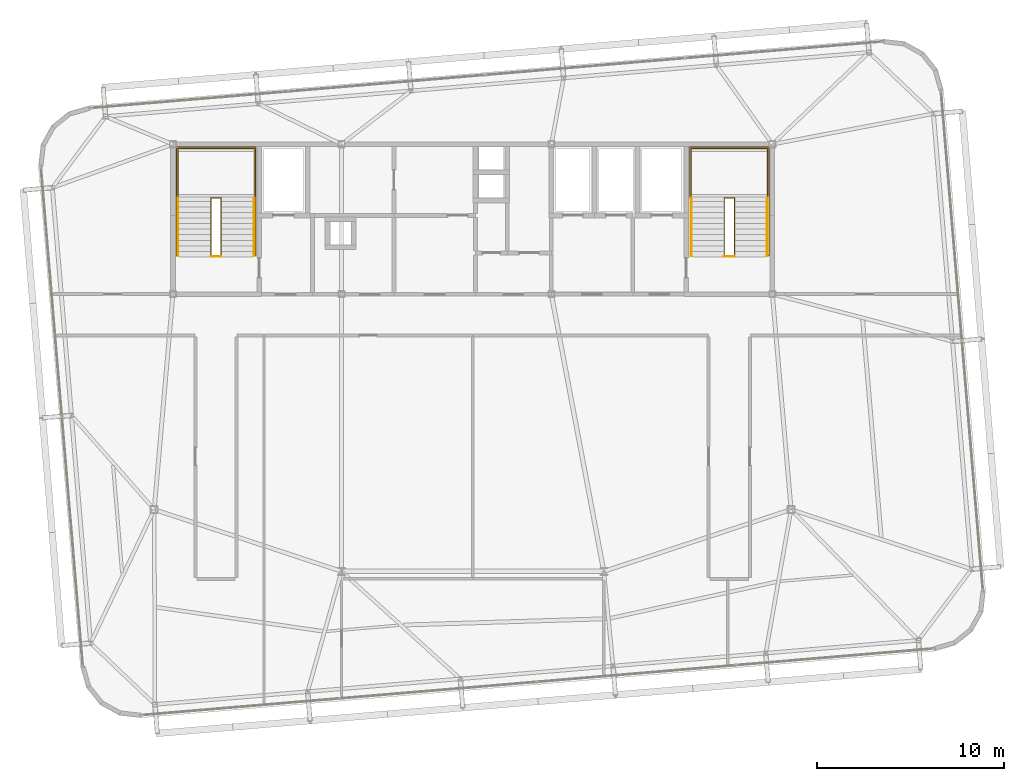
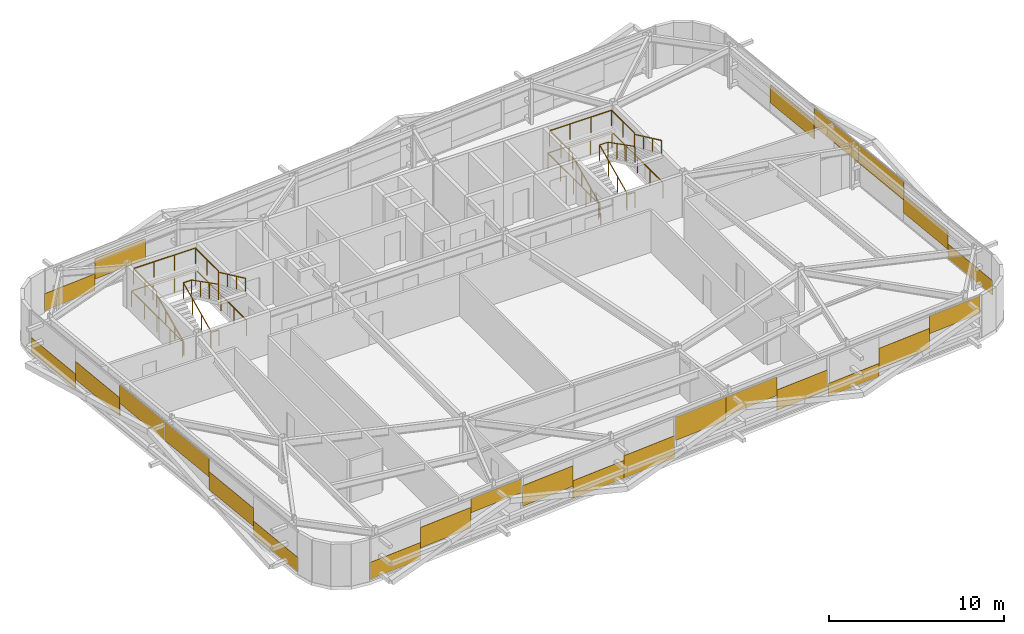
# One storey, part 38 of 39: 25 coverings, 12 railings.
"""IFC4 building model written with IfcOpenShell, lengths in metres."""

from ifc_helpers import new_model, si_unit, direction, frame, origin, origin_2d, place, context, subcontext, project, spatial, rectangle, extrude, source, transform, mapped, material, layer, layer_set, type_object, element, save


model = new_model("IFC4")

# Units and contexts
model_context = context("Model", 3, precision=1e-05, world=origin(), true_north=direction((0.0, 1.0)))
body_context = subcontext(model_context, "Body", "Model", "MODEL_VIEW")
ifc_project = project(units=[si_unit("LENGTHUNIT", "METRE"), si_unit("AREAUNIT", "SQUARE_METRE"), si_unit("VOLUMEUNIT", "CUBIC_METRE"), si_unit("PLANEANGLEUNIT", "RADIAN"), si_unit("MASSUNIT", "GRAM", prefix="KILO")], contexts=[model_context])

# Site, building, storey
site_placement = place(None, origin())
site = spatial("IfcSite", under=ifc_project, at=site_placement, CompositionType="ELEMENT")
building_placement = place(site_placement, origin())
building = spatial("IfcBuilding", under=site, at=building_placement, Name="Taldren Reach Tower", CompositionType="ELEMENT")
storey_placement = place(building_placement, frame((0.0, 0.0, 197.75)))
storey = spatial("IfcBuildingStorey", under=building, at=storey_placement, Name="L60", CompositionType="ELEMENT", Elevation=197.75)

# Railings
ifc_material_1 = material(Name="Steel Gr 350 (C350L0)", Category="steel")
ifc_layer_1 = layer(ifc_material_1, 0.050048828125)
ifc_layer_set_1 = layer_set([ifc_layer_1], Name="Steel Gr 350 (C350L0)")
railing_type_1 = type_object("IfcRailingType", Name="RL-STAIR-GR", PredefinedType="GUARDRAIL", material=ifc_layer_set_1)
railing_1_placement = place(storey_placement, frame((19.260009765625, 29.135009765625, 1.574951171875)))
element("IfcRailing", 1, at=railing_1_placement, inside=storey, type_object=railing_type_1, Name="Stair half-landing perimeter guard ST1-L60", PredefinedType="GUARDRAIL", context=body_context, shape_type="SweptSolid", body=[
    extrude(rectangle(XDim=0.047852, YDim=0.047852, at=origin_2d()), frame((0.0, 0.0, 1.09619140625), z_axis=(0.0, 1.0, 0.0), x_axis=(-1.0, 0.0, 0.0)), (0.0, 0.0, 1.0), 2.64501953125),
    extrude(rectangle(XDim=0.047852, YDim=0.047852, at=origin_2d()), frame((0.0, 2.64501953125, 1.09619140625), z_axis=(1.0, 0.0, 0.0), x_axis=(0.0, 1.0, 0.0)), (0.0, 0.0, 1.0), 4.080078125),
    extrude(rectangle(XDim=0.047852, YDim=0.047852, at=origin_2d()), frame((4.080078125, 2.64501953125, 1.09619140625), z_axis=(0.0, -1.0, 0.0), x_axis=(1.0, 0.0, 0.0)), (0.0, 0.0, 1.0), 2.64501953125),
    extrude(rectangle(XDim=0.041992, YDim=0.041992, at=origin_2d()), origin(), (0.0, 0.0, 1.0), 1.072021484375),
    extrude(rectangle(XDim=0.041992, YDim=0.041992, at=origin_2d()), frame((0.0, 1.322509765625, 0.0)), (0.0, 0.0, 1.0), 1.072021484375),
    extrude(rectangle(XDim=0.041992, YDim=0.041992, at=origin_2d()), frame((0.0, 2.64501953125, 0.0)), (0.0, 0.0, 1.0), 1.072021484375),
    extrude(rectangle(XDim=0.041992, YDim=0.041992, at=origin_2d()), frame((1.360107421875, 2.64501953125, 0.0)), (0.0, 0.0, 1.0), 1.072021484375),
    extrude(rectangle(XDim=0.041992, YDim=0.041992, at=origin_2d()), frame((2.719970703125, 2.64501953125, 0.0)), (0.0, 0.0, 1.0), 1.072021484375),
    extrude(rectangle(XDim=0.041992, YDim=0.041992, at=origin_2d()), frame((4.080078125, 2.64501953125, 0.0)), (0.0, 0.0, 1.0), 1.072021484375),
    extrude(rectangle(XDim=0.041992, YDim=0.041992, at=origin_2d()), frame((4.080078125, 1.322509765625, 0.0)), (0.0, 0.0, 1.0), 1.072021484375),
    extrude(rectangle(XDim=0.041992, YDim=0.041992, at=origin_2d()), frame((4.080078125, 0.0, 0.0)), (0.0, 0.0, 1.0), 1.072021484375),
])
railing_2_placement = place(storey_placement, frame((21.030029296875, 26.050048828125, 0.131103515625)))
element("IfcRailing", 2, at=railing_2_placement, inside=storey, type_object=railing_type_1, Name="Stairwell inner guard ST1-L60", PredefinedType="GUARDRAIL", context=body_context, shape_type="SweptSolid", body=[
    extrude(rectangle(XDim=0.047852, YDim=0.047852, at=origin_2d()), frame((0.0, 0.0, 1.09619140625), z_axis=(0.0, 0.905710134349, 0.423897573167), x_axis=(-1.0, 0.0, 0.0)), (0.0, 0.0, 1.0), 3.406005859375),
    extrude(rectangle(XDim=0.047852, YDim=0.047852, at=origin_2d()), frame((0.0, 3.0849609375, 2.5400390625), z_axis=(1.0, 0.0, 0.0), x_axis=(0.0, 1.0, 0.0)), (0.0, 0.0, 1.0), 0.5400390625),
    extrude(rectangle(XDim=0.047852, YDim=0.047852, at=origin_2d()), frame((0.5400390625, 3.0849609375, 2.5400390625), z_axis=(0.0, -0.890645957773, 0.45469745755), x_axis=(1.0, 0.0, 0.0)), (0.0, 0.0, 1.0), 3.463623046875),
    extrude(rectangle(XDim=0.041992, YDim=0.041992, at=origin_2d()), origin(), (0.0, 0.0, 1.0), 1.072021484375),
    extrude(rectangle(XDim=0.041992, YDim=0.041992, at=origin_2d()), frame((0.0, 1.0283203125, 0.481201171875)), (0.0, 0.0, 1.0), 1.072021484375),
    extrude(rectangle(XDim=0.041992, YDim=0.041992, at=origin_2d()), frame((0.0, 2.056640625, 0.962646484375)), (0.0, 0.0, 1.0), 1.072021484375),
    extrude(rectangle(XDim=0.041992, YDim=0.041992, at=origin_2d()), frame((0.0, 3.0849609375, 1.44384765625)), (0.0, 0.0, 1.0), 1.072021484375),
    extrude(rectangle(XDim=0.041992, YDim=0.041992, at=origin_2d()), frame((0.5400390625, 3.0849609375, 1.44384765625)), (0.0, 0.0, 1.0), 1.072021484375),
    extrude(rectangle(XDim=0.041992, YDim=0.041992, at=origin_2d()), frame((0.5400390625, 2.056640625, 1.96875)), (0.0, 0.0, 1.0), 1.072021484375),
    extrude(rectangle(XDim=0.041992, YDim=0.041992, at=origin_2d()), frame((0.5400390625, 1.0283203125, 2.493896484375)), (0.0, 0.0, 1.0), 1.072021484375),
    extrude(rectangle(XDim=0.041992, YDim=0.041992, at=origin_2d()), frame((0.5400390625, 0.0, 3.018798828125)), (0.0, 0.0, 1.0), 1.072021484375),
])
railing_3_placement = place(storey_placement, frame((21.030029296875, 26.010009765625, 0.0)))
element("IfcRailing", 3, at=railing_3_placement, inside=storey, type_object=railing_type_1, Name="Stairwell landing slot guard ST1-L60", PredefinedType="GUARDRAIL", context=body_context, shape_type="SweptSolid", body=[
    extrude(rectangle(XDim=0.047852, YDim=0.047852, at=origin_2d()), frame((0.0, 0.0, 1.09619140625), z_axis=(1.0, 0.0, 0.0), x_axis=(0.0, 1.0, 0.0)), (0.0, 0.0, 1.0), 0.5400390625),
    extrude(rectangle(XDim=0.041992, YDim=0.041992, at=origin_2d()), origin(), (0.0, 0.0, 1.0), 1.072021484375),
    extrude(rectangle(XDim=0.041992, YDim=0.041992, at=origin_2d()), frame((0.5400390625, 0.0, 0.0)), (0.0, 0.0, 1.0), 1.072021484375),
])
railing_4_placement = place(storey_placement, frame((19.18994140625, 26.050048828125, 0.0)))
element("IfcRailing", 4, at=railing_4_placement, inside=storey, type_object=railing_type_1, Name="Stairwell floor opening guard ST1-L60", PredefinedType="GUARDRAIL", context=body_context, shape_type="SweptSolid", body=[
    extrude(rectangle(XDim=0.047852, YDim=0.047852, at=origin_2d()), frame((0.0, 0.0, 1.09619140625), z_axis=(0.0, 1.0, 0.0), x_axis=(-1.0, 0.0, 0.0)), (0.0, 0.0, 1.0), 5.800048828125),
    extrude(rectangle(XDim=0.047852, YDim=0.047852, at=origin_2d()), frame((0.0, 5.800048828125, 1.09619140625), z_axis=(1.0, 0.0, 0.0), x_axis=(0.0, 1.0, 0.0)), (0.0, 0.0, 1.0), 4.219970703125),
    extrude(rectangle(XDim=0.047852, YDim=0.047852, at=origin_2d()), frame((4.219970703125, 5.800048828125, 1.09619140625), z_axis=(0.0, -1.0, 0.0), x_axis=(1.0, 0.0, 0.0)), (0.0, 0.0, 1.0), 5.800048828125),
    extrude(rectangle(XDim=0.041992, YDim=0.041992, at=origin_2d()), origin(), (0.0, 0.0, 1.0), 1.072021484375),
    extrude(rectangle(XDim=0.041992, YDim=0.041992, at=origin_2d()), frame((0.0, 1.449951171875, 0.0)), (0.0, 0.0, 1.0), 1.072021484375),
    extrude(rectangle(XDim=0.041992, YDim=0.041992, at=origin_2d()), frame((0.0, 2.89990234375, 0.0)), (0.0, 0.0, 1.0), 1.072021484375),
    extrude(rectangle(XDim=0.041992, YDim=0.041992, at=origin_2d()), frame((0.0, 4.35009765625, 0.0)), (0.0, 0.0, 1.0), 1.072021484375),
    extrude(rectangle(XDim=0.041992, YDim=0.041992, at=origin_2d()), frame((0.0, 5.800048828125, 0.0)), (0.0, 0.0, 1.0), 1.072021484375),
    extrude(rectangle(XDim=0.041992, YDim=0.041992, at=origin_2d()), frame((1.40673828125, 5.800048828125, 0.0)), (0.0, 0.0, 1.0), 1.072021484375),
    extrude(rectangle(XDim=0.041992, YDim=0.041992, at=origin_2d()), frame((2.813232421875, 5.800048828125, 0.0)), (0.0, 0.0, 1.0), 1.072021484375),
    extrude(rectangle(XDim=0.041992, YDim=0.041992, at=origin_2d()), frame((4.219970703125, 5.800048828125, 0.0)), (0.0, 0.0, 1.0), 1.072021484375),
    extrude(rectangle(XDim=0.041992, YDim=0.041992, at=origin_2d()), frame((4.219970703125, 4.35009765625, 0.0)), (0.0, 0.0, 1.0), 1.072021484375),
    extrude(rectangle(XDim=0.041992, YDim=0.041992, at=origin_2d()), frame((4.219970703125, 2.89990234375, 0.0)), (0.0, 0.0, 1.0), 1.072021484375),
    extrude(rectangle(XDim=0.041992, YDim=0.041992, at=origin_2d()), frame((4.219970703125, 1.449951171875, 0.0)), (0.0, 0.0, 1.0), 1.072021484375),
    extrude(rectangle(XDim=0.041992, YDim=0.041992, at=origin_2d()), frame((4.219970703125, 0.0, 0.0)), (0.0, 0.0, 1.0), 1.072021484375),
])
railing_5_placement = place(storey_placement, frame((46.659912109375, 29.135009765625, 1.574951171875)))
element("IfcRailing", 5, at=railing_5_placement, inside=storey, type_object=railing_type_1, Name="Stair half-landing perimeter guard ST2-L60", PredefinedType="GUARDRAIL", context=body_context, shape_type="SweptSolid", body=[
    extrude(rectangle(XDim=0.047852, YDim=0.047852, at=origin_2d()), frame((0.0, 0.0, 1.09619140625), z_axis=(0.0, 1.0, 0.0), x_axis=(-1.0, 0.0, 0.0)), (0.0, 0.0, 1.0), 2.64501953125),
    extrude(rectangle(XDim=0.047852, YDim=0.047852, at=origin_2d()), frame((0.0, 2.64501953125, 1.09619140625), z_axis=(1.0, 0.0, 0.0), x_axis=(0.0, 1.0, 0.0)), (0.0, 0.0, 1.0), 4.080078125),
    extrude(rectangle(XDim=0.047852, YDim=0.047852, at=origin_2d()), frame((4.080078125, 2.64501953125, 1.09619140625), z_axis=(0.0, -1.0, 0.0), x_axis=(1.0, 0.0, 0.0)), (0.0, 0.0, 1.0), 2.64501953125),
    extrude(rectangle(XDim=0.041992, YDim=0.041992, at=origin_2d()), origin(), (0.0, 0.0, 1.0), 1.072021484375),
    extrude(rectangle(XDim=0.041992, YDim=0.041992, at=origin_2d()), frame((0.0, 1.322509765625, 0.0)), (0.0, 0.0, 1.0), 1.072021484375),
    extrude(rectangle(XDim=0.041992, YDim=0.041992, at=origin_2d()), frame((0.0, 2.64501953125, 0.0)), (0.0, 0.0, 1.0), 1.072021484375),
    extrude(rectangle(XDim=0.041992, YDim=0.041992, at=origin_2d()), frame((1.360107421875, 2.64501953125, 0.0)), (0.0, 0.0, 1.0), 1.072021484375),
    extrude(rectangle(XDim=0.041992, YDim=0.041992, at=origin_2d()), frame((2.719970703125, 2.64501953125, 0.0)), (0.0, 0.0, 1.0), 1.072021484375),
    extrude(rectangle(XDim=0.041992, YDim=0.041992, at=origin_2d()), frame((4.080078125, 2.64501953125, 0.0)), (0.0, 0.0, 1.0), 1.072021484375),
    extrude(rectangle(XDim=0.041992, YDim=0.041992, at=origin_2d()), frame((4.080078125, 1.322509765625, 0.0)), (0.0, 0.0, 1.0), 1.072021484375),
    extrude(rectangle(XDim=0.041992, YDim=0.041992, at=origin_2d()), frame((4.080078125, 0.0, 0.0)), (0.0, 0.0, 1.0), 1.072021484375),
])
railing_6_placement = place(storey_placement, frame((48.429931640625, 26.050048828125, 0.131103515625)))
element("IfcRailing", 6, at=railing_6_placement, inside=storey, type_object=railing_type_1, Name="Stairwell inner guard ST2-L60", PredefinedType="GUARDRAIL", context=body_context, shape_type="SweptSolid", body=[
    extrude(rectangle(XDim=0.047852, YDim=0.047852, at=origin_2d()), frame((0.0, 0.0, 1.09619140625), z_axis=(0.0, 0.905710134349, 0.423897573167), x_axis=(-1.0, 0.0, 0.0)), (0.0, 0.0, 1.0), 3.406005859375),
    extrude(rectangle(XDim=0.047852, YDim=0.047852, at=origin_2d()), frame((0.0, 3.0849609375, 2.5400390625), z_axis=(1.0, 0.0, 0.0), x_axis=(0.0, 1.0, 0.0)), (0.0, 0.0, 1.0), 0.5400390625),
    extrude(rectangle(XDim=0.047852, YDim=0.047852, at=origin_2d()), frame((0.5400390625, 3.0849609375, 2.5400390625), z_axis=(0.0, -0.890645957773, 0.45469745755), x_axis=(1.0, 0.0, 0.0)), (0.0, 0.0, 1.0), 3.463623046875),
    extrude(rectangle(XDim=0.041992, YDim=0.041992, at=origin_2d()), origin(), (0.0, 0.0, 1.0), 1.072021484375),
    extrude(rectangle(XDim=0.041992, YDim=0.041992, at=origin_2d()), frame((0.0, 1.0283203125, 0.481201171875)), (0.0, 0.0, 1.0), 1.072021484375),
    extrude(rectangle(XDim=0.041992, YDim=0.041992, at=origin_2d()), frame((0.0, 2.056640625, 0.962646484375)), (0.0, 0.0, 1.0), 1.072021484375),
    extrude(rectangle(XDim=0.041992, YDim=0.041992, at=origin_2d()), frame((0.0, 3.0849609375, 1.44384765625)), (0.0, 0.0, 1.0), 1.072021484375),
    extrude(rectangle(XDim=0.041992, YDim=0.041992, at=origin_2d()), frame((0.5400390625, 3.0849609375, 1.44384765625)), (0.0, 0.0, 1.0), 1.072021484375),
    extrude(rectangle(XDim=0.041992, YDim=0.041992, at=origin_2d()), frame((0.5400390625, 2.056640625, 1.96875)), (0.0, 0.0, 1.0), 1.072021484375),
    extrude(rectangle(XDim=0.041992, YDim=0.041992, at=origin_2d()), frame((0.5400390625, 1.0283203125, 2.493896484375)), (0.0, 0.0, 1.0), 1.072021484375),
    extrude(rectangle(XDim=0.041992, YDim=0.041992, at=origin_2d()), frame((0.5400390625, 0.0, 3.018798828125)), (0.0, 0.0, 1.0), 1.072021484375),
])
railing_7_placement = place(storey_placement, frame((48.429931640625, 26.010009765625, 0.0)))
element("IfcRailing", 7, at=railing_7_placement, inside=storey, type_object=railing_type_1, Name="Stairwell landing slot guard ST2-L60", PredefinedType="GUARDRAIL", context=body_context, shape_type="SweptSolid", body=[
    extrude(rectangle(XDim=0.047852, YDim=0.047852, at=origin_2d()), frame((0.0, 0.0, 1.09619140625), z_axis=(1.0, 0.0, 0.0), x_axis=(0.0, 1.0, 0.0)), (0.0, 0.0, 1.0), 0.5400390625),
    extrude(rectangle(XDim=0.041992, YDim=0.041992, at=origin_2d()), origin(), (0.0, 0.0, 1.0), 1.072021484375),
    extrude(rectangle(XDim=0.041992, YDim=0.041992, at=origin_2d()), frame((0.5400390625, 0.0, 0.0)), (0.0, 0.0, 1.0), 1.072021484375),
])
railing_8_placement = place(storey_placement, frame((46.590087890625, 26.050048828125, 0.0)))
element("IfcRailing", 8, at=railing_8_placement, inside=storey, type_object=railing_type_1, Name="Stairwell floor opening guard ST2-L60", PredefinedType="GUARDRAIL", context=body_context, shape_type="SweptSolid", body=[
    extrude(rectangle(XDim=0.047852, YDim=0.047852, at=origin_2d()), frame((0.0, 0.0, 1.09619140625), z_axis=(0.0, 1.0, 0.0), x_axis=(-1.0, 0.0, 0.0)), (0.0, 0.0, 1.0), 5.800048828125),
    extrude(rectangle(XDim=0.047852, YDim=0.047852, at=origin_2d()), frame((0.0, 5.800048828125, 1.09619140625), z_axis=(1.0, 0.0, 0.0), x_axis=(0.0, 1.0, 0.0)), (0.0, 0.0, 1.0), 4.219970703125),
    extrude(rectangle(XDim=0.047852, YDim=0.047852, at=origin_2d()), frame((4.219970703125, 5.800048828125, 1.09619140625), z_axis=(0.0, -1.0, 0.0), x_axis=(1.0, 0.0, 0.0)), (0.0, 0.0, 1.0), 5.800048828125),
    extrude(rectangle(XDim=0.041992, YDim=0.041992, at=origin_2d()), origin(), (0.0, 0.0, 1.0), 1.072021484375),
    extrude(rectangle(XDim=0.041992, YDim=0.041992, at=origin_2d()), frame((0.0, 1.449951171875, 0.0)), (0.0, 0.0, 1.0), 1.072021484375),
    extrude(rectangle(XDim=0.041992, YDim=0.041992, at=origin_2d()), frame((0.0, 2.89990234375, 0.0)), (0.0, 0.0, 1.0), 1.072021484375),
    extrude(rectangle(XDim=0.041992, YDim=0.041992, at=origin_2d()), frame((0.0, 4.35009765625, 0.0)), (0.0, 0.0, 1.0), 1.072021484375),
    extrude(rectangle(XDim=0.041992, YDim=0.041992, at=origin_2d()), frame((0.0, 5.800048828125, 0.0)), (0.0, 0.0, 1.0), 1.072021484375),
    extrude(rectangle(XDim=0.041992, YDim=0.041992, at=origin_2d()), frame((1.40673828125, 5.800048828125, 0.0)), (0.0, 0.0, 1.0), 1.072021484375),
    extrude(rectangle(XDim=0.041992, YDim=0.041992, at=origin_2d()), frame((2.813232421875, 5.800048828125, 0.0)), (0.0, 0.0, 1.0), 1.072021484375),
    extrude(rectangle(XDim=0.041992, YDim=0.041992, at=origin_2d()), frame((4.219970703125, 5.800048828125, 0.0)), (0.0, 0.0, 1.0), 1.072021484375),
    extrude(rectangle(XDim=0.041992, YDim=0.041992, at=origin_2d()), frame((4.219970703125, 4.35009765625, 0.0)), (0.0, 0.0, 1.0), 1.072021484375),
    extrude(rectangle(XDim=0.041992, YDim=0.041992, at=origin_2d()), frame((4.219970703125, 2.89990234375, 0.0)), (0.0, 0.0, 1.0), 1.072021484375),
    extrude(rectangle(XDim=0.041992, YDim=0.041992, at=origin_2d()), frame((4.219970703125, 1.449951171875, 0.0)), (0.0, 0.0, 1.0), 1.072021484375),
    extrude(rectangle(XDim=0.041992, YDim=0.041992, at=origin_2d()), frame((4.219970703125, 0.0, 0.0)), (0.0, 0.0, 1.0), 1.072021484375),
])
ifc_material_2 = material(Name="Stainless Steel Gr 316", Category="steel")
ifc_layer_2 = layer(ifc_material_2, 0.048095703125)
ifc_layer_set_2 = layer_set([ifc_layer_2], Name="Stainless Steel Gr 316")
railing_type_2 = type_object("IfcRailingType", Name="RL-STAIR-HR", PredefinedType="HANDRAIL", material=ifc_layer_set_2)
railing_9_placement = place(storey_placement, frame((19.27001953125, 26.050048828125, 0.131103515625)))
element("IfcRailing", 9, at=railing_9_placement, inside=storey, type_object=railing_type_2, Name="Stair flight handrail ST1-L60-1", PredefinedType="HANDRAIL", context=body_context, shape_type="SweptSolid", body=[
    extrude(rectangle(XDim=0.047852, YDim=0.047852, at=origin_2d()), frame((0.0, 0.0, 0.89599609375), z_axis=(0.0, 0.905710134349, 0.423897573167), x_axis=(-1.0, 0.0, 0.0)), (0.0, 0.0, 1.0), 3.406005859375),
    extrude(rectangle(XDim=0.041992, YDim=0.041992, at=origin_2d()), origin(), (0.0, 0.0, 1.0), 0.871826171875),
    extrude(rectangle(XDim=0.041992, YDim=0.041992, at=origin_2d()), frame((0.0, 1.0283203125, 0.481201171875)), (0.0, 0.0, 1.0), 0.871826171875),
    extrude(rectangle(XDim=0.041992, YDim=0.041992, at=origin_2d()), frame((0.0, 2.056640625, 0.962646484375)), (0.0, 0.0, 1.0), 0.871826171875),
    extrude(rectangle(XDim=0.041992, YDim=0.041992, at=origin_2d()), frame((0.0, 3.0849609375, 1.44384765625)), (0.0, 0.0, 1.0), 0.871826171875),
])
railing_10_placement = place(storey_placement, frame((23.330078125, 29.135009765625, 1.706298828125)))
element("IfcRailing", 10, at=railing_10_placement, inside=storey, type_object=railing_type_2, Name="Stair flight handrail ST1-L60-2", PredefinedType="HANDRAIL", context=body_context, shape_type="SweptSolid", body=[
    extrude(rectangle(XDim=0.047852, YDim=0.047852, at=origin_2d()), frame((0.0, 0.0, 0.89599609375), z_axis=(0.0, -0.905737652094, 0.423838773095), x_axis=(1.0, 0.0, 0.0)), (0.0, 0.0, 1.0), 3.406005859375),
    extrude(rectangle(XDim=0.041992, YDim=0.041992, at=origin_2d()), origin(), (0.0, 0.0, 1.0), 0.871826171875),
    extrude(rectangle(XDim=0.041992, YDim=0.041992, at=origin_2d()), frame((0.0, -1.0283203125, 0.481201171875)), (0.0, 0.0, 1.0), 0.871826171875),
    extrude(rectangle(XDim=0.041992, YDim=0.041992, at=origin_2d()), frame((0.0, -2.056640625, 0.96240234375)), (0.0, 0.0, 1.0), 0.871826171875),
    extrude(rectangle(XDim=0.041992, YDim=0.041992, at=origin_2d()), frame((0.0, -3.0849609375, 1.443603515625)), (0.0, 0.0, 1.0), 0.871826171875),
])
railing_11_placement = place(storey_placement, frame((46.669921875, 26.050048828125, 0.131103515625)))
element("IfcRailing", 11, at=railing_11_placement, inside=storey, type_object=railing_type_2, Name="Stair flight handrail ST2-L60-1", PredefinedType="HANDRAIL", context=body_context, shape_type="SweptSolid", body=[
    extrude(rectangle(XDim=0.047852, YDim=0.047852, at=origin_2d()), frame((0.0, 0.0, 0.89599609375), z_axis=(0.0, 0.905710134349, 0.423897573167), x_axis=(-1.0, 0.0, 0.0)), (0.0, 0.0, 1.0), 3.406005859375),
    extrude(rectangle(XDim=0.041992, YDim=0.041992, at=origin_2d()), origin(), (0.0, 0.0, 1.0), 0.871826171875),
    extrude(rectangle(XDim=0.041992, YDim=0.041992, at=origin_2d()), frame((0.0, 1.0283203125, 0.481201171875)), (0.0, 0.0, 1.0), 0.871826171875),
    extrude(rectangle(XDim=0.041992, YDim=0.041992, at=origin_2d()), frame((0.0, 2.056640625, 0.962646484375)), (0.0, 0.0, 1.0), 0.871826171875),
    extrude(rectangle(XDim=0.041992, YDim=0.041992, at=origin_2d()), frame((0.0, 3.0849609375, 1.44384765625)), (0.0, 0.0, 1.0), 0.871826171875),
])
railing_12_placement = place(storey_placement, frame((50.72998046875, 29.135009765625, 1.706298828125)))
element("IfcRailing", 12, at=railing_12_placement, inside=storey, type_object=railing_type_2, Name="Stair flight handrail ST2-L60-2", PredefinedType="HANDRAIL", context=body_context, shape_type="SweptSolid", body=[
    extrude(rectangle(XDim=0.047852, YDim=0.047852, at=origin_2d()), frame((0.0, 0.0, 0.89599609375), z_axis=(0.0, -0.905737652094, 0.423838773095), x_axis=(1.0, 0.0, 0.0)), (0.0, 0.0, 1.0), 3.406005859375),
    extrude(rectangle(XDim=0.041992, YDim=0.041992, at=origin_2d()), origin(), (0.0, 0.0, 1.0), 0.871826171875),
    extrude(rectangle(XDim=0.041992, YDim=0.041992, at=origin_2d()), frame((0.0, -1.0283203125, 0.481201171875)), (0.0, 0.0, 1.0), 0.871826171875),
    extrude(rectangle(XDim=0.041992, YDim=0.041992, at=origin_2d()), frame((0.0, -2.056640625, 0.96240234375)), (0.0, 0.0, 1.0), 0.871826171875),
    extrude(rectangle(XDim=0.041992, YDim=0.041992, at=origin_2d()), frame((0.0, -3.0849609375, 1.443603515625)), (0.0, 0.0, 1.0), 0.871826171875),
])

# Coverings
ifc_material_3 = material(Name="Pale Champagne Fluoropolymer Aluminium Spandrel Cladding", Category="aluminium")
ifc_layer_3 = layer(ifc_material_3, 0.0439453125)
ifc_layer_set_3 = layer_set([ifc_layer_3], Name="Pale Champagne Fluoropolymer Aluminium Spandrel Cladding")
covering_type = type_object("IfcCoveringType", Name="CV-CLAD-044", PredefinedType="CLADDING", material=ifc_layer_set_3)
shared_shape_1 = source(origin(), body_context, "Body", "SweptSolid", [
    extrude(rectangle(XDim=3.506591796875, YDim=0.0439453125, at=origin_2d()), origin(), (0.0, 0.0, 1.0), 1.177734375),
])
for number, where, z_axis, x_axis, name in (
    (13, (19.10205078125, 1.67138671875, 0.06005859375), (0.0, 0.0, 1.0), (0.996492854922, 0.083677894865, 0.0), "Diagrid closure cladding strip CW-5 panel 1.1 1"),
    (14, (16.380859375, 34.077392578125, 0.06005859375), (0.0, 0.0, 1.0), (-0.99649285657, -0.083677875247, 0.0), "Diagrid closure cladding strip CW-5 panel 4.1 3"),
):
    element("IfcCovering", number, at=place(storey_placement, frame(where, z_axis=z_axis, x_axis=x_axis)), inside=storey, type_object=covering_type, Name=name, PredefinedType="CLADDING", context=body_context, shape_type="MappedRepresentation", body=[
        mapped(shared_shape_1, transform((0.0, 0.0, 0.0), scale=1.0)),
    ])
shared_shape_2 = source(origin(), body_context, "Body", "SweptSolid", [
    extrude(rectangle(XDim=3.506591796875, YDim=0.0439453125, at=origin_2d()), origin(), (0.0, 0.0, 1.0), 1.42724609375),
])
for number, where, z_axis, x_axis, name in (
    (15, (22.596435546875, 1.96484375, 0.85205078125), (0.0, 0.0, 1.0), (0.996492854922, 0.083677894865, 0.0), "Diagrid closure cladding strip CW-5 panel 1.1 2"),
    (16, (54.32470703125, 4.629150390625, 0.590576171875), (0.0, 0.0, 1.0), (0.996492854922, 0.083677894865, 0.0), "Diagrid closure cladding strip CW-5 panel 4.1 2"),
    (17, (19.875244140625, 34.370849609375, 0.85205078125), (0.0, 0.0, 1.0), (-0.99649285657, -0.083677875247, 0.0), "Diagrid closure cladding strip CW-5 panel 4.1 2"),
):
    element("IfcCovering", number, at=place(storey_placement, frame(where, z_axis=z_axis, x_axis=x_axis)), inside=storey, type_object=covering_type, Name=name, PredefinedType="CLADDING", context=body_context, shape_type="MappedRepresentation", body=[
        mapped(shared_shape_2, transform((0.0, 0.0, 0.0), scale=1.0)),
    ])
shared_shape_3 = source(origin(), body_context, "Body", "SweptSolid", [
    extrude(rectangle(XDim=3.506591796875, YDim=0.0439453125, at=origin_2d()), origin(), (0.0, 0.0, 1.0), 0.976318359375),
])
covering_1_placement = place(storey_placement, frame((26.0908203125, 2.25830078125, 1.8935546875), z_axis=(0.0, 0.0, 1.0), x_axis=(0.996492854922, 0.083677894865, 0.0)))
element("IfcCovering", 18, at=covering_1_placement, inside=storey, type_object=covering_type, Name="Diagrid closure cladding strip CW-5 panel 1.1 3", PredefinedType="CLADDING", context=body_context, shape_type="MappedRepresentation", body=[
    mapped(shared_shape_3, transform((0.0, 0.0, 0.0), scale=1.0)),
])
shared_shape_4 = source(origin(), body_context, "Body", "SweptSolid", [
    extrude(rectangle(XDim=3.518310546875, YDim=0.0439453125, at=origin_2d()), origin(), (0.0, 0.0, 1.0), 1.4306640625),
])
for number, where, z_axis, x_axis, name in (
    (19, (29.66064453125, 2.55810546875, 0.9130859375), (0.0, 0.0, 1.0), (0.996492854922, 0.083677894865, 0.0), "Diagrid closure cladding strip CW-5 panel 2.1 1"),
    (20, (47.260498046875, 4.035888671875, 0.5263671875), (0.0, 0.0, 1.0), (0.996492854922, 0.083677894865, 0.0), "Diagrid closure cladding strip CW-5 panel 3.1 3"),
):
    element("IfcCovering", number, at=place(storey_placement, frame(where, z_axis=z_axis, x_axis=x_axis)), inside=storey, type_object=covering_type, Name=name, PredefinedType="CLADDING", context=body_context, shape_type="MappedRepresentation", body=[
        mapped(shared_shape_4, transform((0.0, 0.0, 0.0), scale=1.0)),
    ])
shared_shape_5 = source(origin(), body_context, "Body", "SweptSolid", [
    extrude(rectangle(XDim=3.518310546875, YDim=0.0439453125, at=origin_2d()), origin(), (0.0, 0.0, 1.0), 1.238525390625),
])
covering_2_placement = place(storey_placement, frame((33.166748046875, 2.8525390625, 0.06005859375), z_axis=(0.0, 0.0, 1.0), x_axis=(0.996492854922, 0.083677894865, 0.0)))
element("IfcCovering", 21, at=covering_2_placement, inside=storey, type_object=covering_type, Name="Diagrid closure cladding strip CW-5 panel 2.1 2", PredefinedType="CLADDING", context=body_context, shape_type="MappedRepresentation", body=[
    mapped(shared_shape_5, transform((0.0, 0.0, 0.0), scale=1.0)),
])
shared_shape_6 = source(origin(), body_context, "Body", "SweptSolid", [
    extrude(rectangle(XDim=3.518310546875, YDim=0.0439453125, at=origin_2d()), origin(), (0.0, 0.0, 1.0), 1.557373046875),
])
covering_3_placement = place(storey_placement, frame((36.672607421875, 3.14697265625, 0.06005859375), z_axis=(0.0, 0.0, 1.0), x_axis=(0.996492854922, 0.083677894865, 0.0)))
element("IfcCovering", 22, at=covering_3_placement, inside=storey, type_object=covering_type, Name="Diagrid closure cladding strip CW-5 panel 2.1 3", PredefinedType="CLADDING", context=body_context, shape_type="MappedRepresentation", body=[
    mapped(shared_shape_6, transform((0.0, 0.0, 0.0), scale=1.0)),
])
shared_shape_7 = source(origin(), body_context, "Body", "SweptSolid", [
    extrude(rectangle(XDim=3.518310546875, YDim=0.0439453125, at=origin_2d()), origin(), (0.0, 0.0, 1.0), 1.617431640625),
])
covering_4_placement = place(storey_placement, frame((40.24853515625, 3.447265625, 1.25244140625), z_axis=(0.0, 0.0, 1.0), x_axis=(0.996492854922, 0.083677894865, 0.0)))
element("IfcCovering", 23, at=covering_4_placement, inside=storey, type_object=covering_type, Name="Diagrid closure cladding strip CW-5 panel 3.1 1", PredefinedType="CLADDING", context=body_context, shape_type="MappedRepresentation", body=[
    mapped(shared_shape_7, transform((0.0, 0.0, 0.0), scale=1.0)),
])
shared_shape_8 = source(origin(), body_context, "Body", "SweptSolid", [
    extrude(rectangle(XDim=3.518310546875, YDim=0.0439453125, at=origin_2d()), origin(), (0.0, 0.0, 1.0), 1.298583984375),
])
covering_5_placement = place(storey_placement, frame((43.75439453125, 3.741455078125, 1.5712890625), z_axis=(0.0, 0.0, 1.0), x_axis=(0.996492854922, 0.083677894865, 0.0)))
element("IfcCovering", 24, at=covering_5_placement, inside=storey, type_object=covering_type, Name="Diagrid closure cladding strip CW-5 panel 3.1 2", PredefinedType="CLADDING", context=body_context, shape_type="MappedRepresentation", body=[
    mapped(shared_shape_8, transform((0.0, 0.0, 0.0), scale=1.0)),
])
shared_shape_9 = source(origin(), body_context, "Body", "SweptSolid", [
    extrude(rectangle(XDim=3.506591796875, YDim=0.0439453125, at=origin_2d()), origin(), (0.0, 0.0, 1.0), 0.916259765625),
])
covering_6_placement = place(storey_placement, frame((50.830322265625, 4.335693359375, 0.06005859375), z_axis=(0.0, 0.0, 1.0), x_axis=(0.996492854922, 0.083677894865, 0.0)))
element("IfcCovering", 25, at=covering_6_placement, inside=storey, type_object=covering_type, Name="Diagrid closure cladding strip CW-5 panel 4.1 1", PredefinedType="CLADDING", context=body_context, shape_type="MappedRepresentation", body=[
    mapped(shared_shape_9, transform((0.0, 0.0, 0.0), scale=1.0)),
])
shared_shape_10 = source(origin(), body_context, "Body", "SweptSolid", [
    extrude(rectangle(XDim=3.506591796875, YDim=0.0439453125, at=origin_2d()), origin(), (0.0, 0.0, 1.0), 1.237548828125),
])
covering_7_placement = place(storey_placement, frame((57.819091796875, 4.922607421875, 1.63232421875), z_axis=(0.0, 0.0, 1.0), x_axis=(0.996492854922, 0.083677894865, 0.0)))
element("IfcCovering", 26, at=covering_7_placement, inside=storey, type_object=covering_type, Name="Diagrid closure cladding strip CW-5 panel 4.1 3", PredefinedType="CLADDING", context=body_context, shape_type="MappedRepresentation", body=[
    mapped(shared_shape_10, transform((0.0, 0.0, 0.0), scale=1.0)),
])
shared_shape_11 = source(origin(), body_context, "Body", "SweptSolid", [
    extrude(rectangle(XDim=4.431640625, YDim=0.0439453125, at=origin_2d()), origin(), (0.0, 0.0, 1.0), 1.006103515625),
])
for number, where, z_axis, x_axis, name in (
    (27, (12.14453125, 28.5576171875, 0.06005859375), (0.0, 0.0, 1.0), (0.083677979808, -0.996492847789, 0.0), "Diagrid closure cladding strip CW-5 panel 1.1 1"),
    (28, (14.004638671875, 6.4072265625, 0.06005859375), (0.0, 0.0, 1.0), (0.083677979808, -0.996492847789, 0.0), "Diagrid closure cladding strip CW-5 panel 2.1 3"),
    (29, (62.055419921875, 10.4423828125, 0.06005859375), (0.0, 0.0, 1.0), (-0.083677979808, 0.996492847789, 0.0), "Diagrid closure cladding strip CW-5 panel 1.1 1"),
):
    element("IfcCovering", number, at=place(storey_placement, frame(where, z_axis=z_axis, x_axis=x_axis)), inside=storey, type_object=covering_type, Name=name, PredefinedType="CLADDING", context=body_context, shape_type="MappedRepresentation", body=[
        mapped(shared_shape_11, transform((0.0, 0.0, 0.0), scale=1.0)),
    ])
shared_shape_12 = source(origin(), body_context, "Body", "SweptSolid", [
    extrude(rectangle(XDim=4.431640625, YDim=0.0439453125, at=origin_2d()), origin(), (0.0, 0.0, 1.0), 1.259765625),
])
for number, where, z_axis, x_axis, name in (
    (30, (12.515380859375, 24.1416015625, 0.689208984375), (0.0, 0.0, 1.0), (0.083677979808, -0.996492847789, 0.0), "Diagrid closure cladding strip CW-5 panel 1.1 2"),
    (31, (13.6337890625, 10.823486328125, 0.689208984375), (0.0, 0.0, 1.0), (0.083677979808, -0.996492847789, 0.0), "Diagrid closure cladding strip CW-5 panel 2.1 2"),
    (32, (61.6845703125, 14.8583984375, 0.689208984375), (0.0, 0.0, 1.0), (-0.083677979808, 0.996492847789, 0.0), "Diagrid closure cladding strip CW-5 panel 1.1 2"),
    (33, (60.566162109375, 28.176513671875, 0.689208984375), (0.0, 0.0, 1.0), (-0.083677979808, 0.996492847789, 0.0), "Diagrid closure cladding strip CW-5 panel 2.1 2"),
):
    element("IfcCovering", number, at=place(storey_placement, frame(where, z_axis=z_axis, x_axis=x_axis)), inside=storey, type_object=covering_type, Name=name, PredefinedType="CLADDING", context=body_context, shape_type="MappedRepresentation", body=[
        mapped(shared_shape_12, transform((0.0, 0.0, 0.0), scale=1.0)),
    ])
shared_shape_13 = source(origin(), body_context, "Body", "SweptSolid", [
    extrude(rectangle(XDim=4.431640625, YDim=0.0439453125, at=origin_2d()), origin(), (0.0, 0.0, 1.0), 1.298095703125),
])
for number, where, z_axis, x_axis, name in (
    (34, (12.88623046875, 19.7255859375, 1.57177734375), (0.0, 0.0, 1.0), (0.083677979808, -0.996492847789, 0.0), "Diagrid closure cladding strip CW-5 panel 1.1 3"),
    (35, (13.262939453125, 15.239501953125, 1.57177734375), (0.0, 0.0, 1.0), (0.083677979808, -0.996492847789, 0.0), "Diagrid closure cladding strip CW-5 panel 2.1 1"),
    (36, (61.313720703125, 19.2744140625, 1.57177734375), (0.0, 0.0, 1.0), (-0.083677979808, 0.996492847789, 0.0), "Diagrid closure cladding strip CW-5 panel 1.1 3"),
    (37, (60.93701171875, 23.760498046875, 1.57177734375), (0.0, 0.0, 1.0), (-0.083677979808, 0.996492847789, 0.0), "Diagrid closure cladding strip CW-5 panel 2.1 1"),
):
    element("IfcCovering", number, at=place(storey_placement, frame(where, z_axis=z_axis, x_axis=x_axis)), inside=storey, type_object=covering_type, Name=name, PredefinedType="CLADDING", context=body_context, shape_type="MappedRepresentation", body=[
        mapped(shared_shape_13, transform((0.0, 0.0, 0.0), scale=1.0)),
    ])

save(model, "model.ifc")
